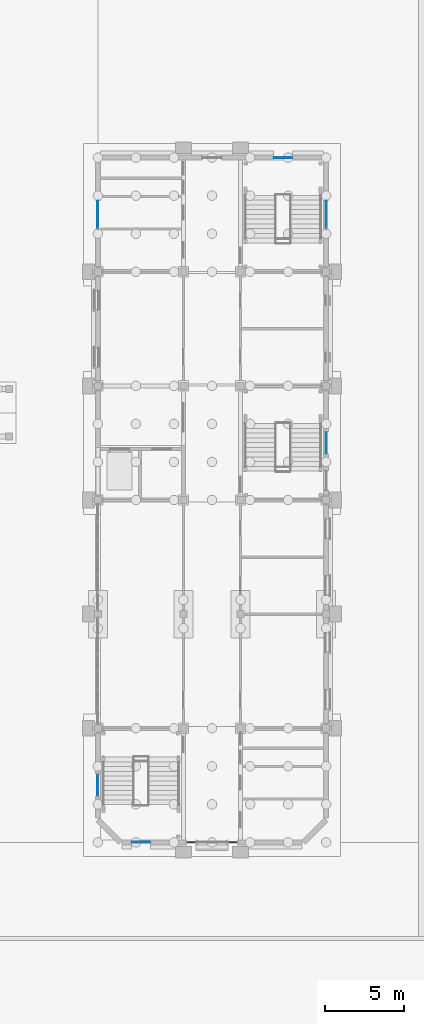
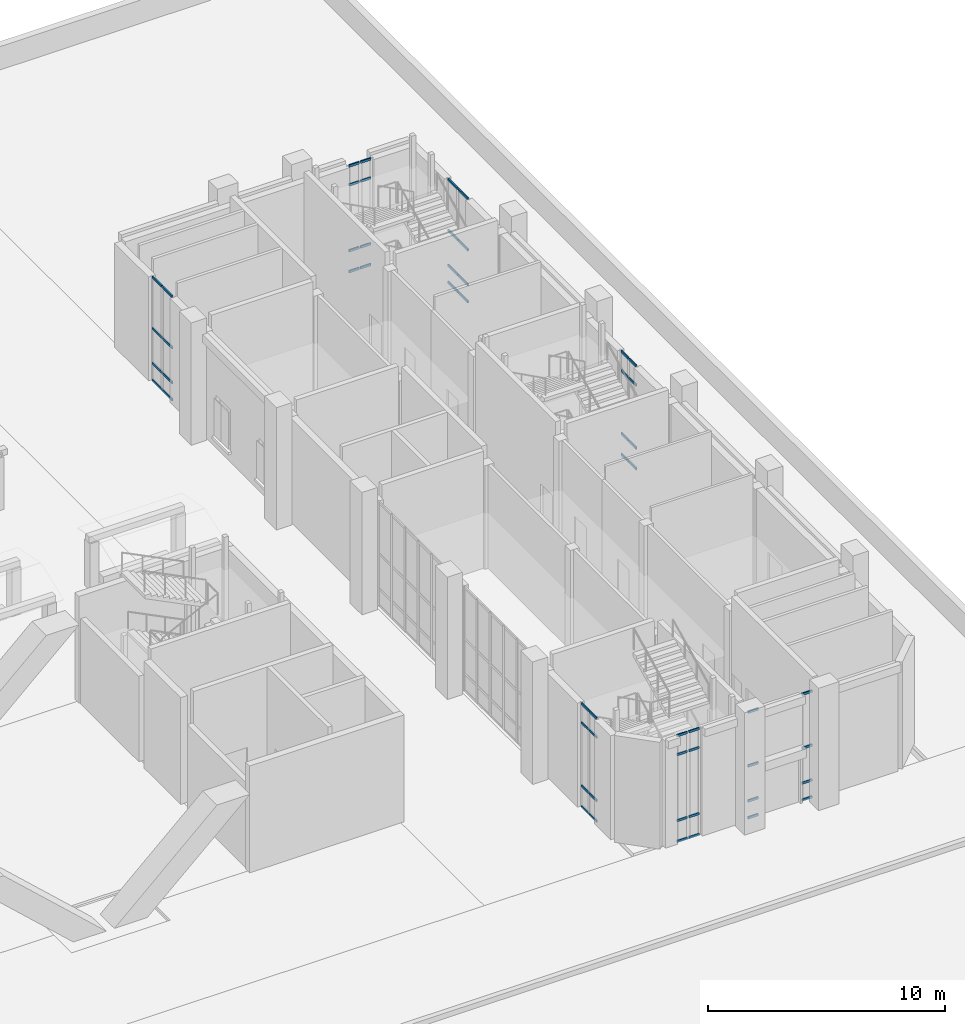
# One storey, part 20 of 84: 56 members, 8 elements without a shape of their own.
"""IFC4 building model written with IfcOpenShell, lengths in metres."""

import ifcopenshell
import ifcopenshell.guid

model = None  # the IFC model being written
_history = None  # IfcOwnerHistory: only IFC2X3 demands one
_inside = {}  # id of a spatial element -> (the spatial element, [elements in it])
_under = {}  # id of a project, library or spatial element -> (it, [spatial elements below it])
_declared = {}  # id of a project -> (the project, [libraries it declares])
_typed = {}  # id of a type object -> (the type object, [elements of that type])
_made_of = {}  # id of a material, layer set ... -> (it, [elements and type objects made of it])


def new_model(schema):
    """Start an empty IFC model of exactly this schema.

    Asked for "IFC4X3", IfcOpenShell would pick the latest addendum, in which some entities
    have other attributes; the version numbers below select the first issue.
    IFC2X3 requires an IfcOwnerHistory on every rooted entity: one is made here for all.
    """
    global model, _history
    if schema == "IFC4X3":
        model = ifcopenshell.file(schema_version=(4, 3, 0, 0))
    else:
        model = ifcopenshell.file(schema=schema)
    _inside.clear()
    _under.clear()
    _declared.clear()
    _typed.clear()
    _made_of.clear()
    _history = None
    if model.schema == "IFC2X3":
        org = make("IfcOrganization", Name="unknown")
        user = make(
            "IfcPersonAndOrganization",
            ThePerson=make("IfcPerson", FamilyName="unknown"),
            TheOrganization=org,
        )
        app = make(
            "IfcApplication",
            ApplicationDeveloper=org,
            Version="unknown",
            ApplicationFullName="unknown",
            ApplicationIdentifier="unknown",
        )
        _history = make(
            "IfcOwnerHistory",
            OwningUser=user,
            OwningApplication=app,
            ChangeAction="ADDED",
            CreationDate=0,
        )
    return model


def make(cls, **values):
    """One entity of the class cls with the attributes given. An attribute that is None is left unset."""
    return model.create_entity(
        cls, **{name: value for name, value in values.items() if value is not None}
    )


def rooted(cls, **values):
    """An entity with a GlobalId (a new one), such as an element, a storey or a relation."""
    return make(cls, GlobalId=ifcopenshell.guid.new(), OwnerHistory=_history, **values)


def si_unit(unit_type, name, prefix=None):
    """IfcSIUnit, for example si_unit("LENGTHUNIT", "METRE", prefix="MILLI")."""
    return make("IfcSIUnit", UnitType=unit_type, Prefix=prefix, Name=name)


def assignment(units):
    """IfcUnitAssignment: the units of a project."""
    return None if units is None else make("IfcUnitAssignment", Units=units)


def point(xyz):
    """IfcCartesianPoint."""
    return None if xyz is None else make("IfcCartesianPoint", Coordinates=xyz)


def direction(xyz):
    """IfcDirection."""
    return None if xyz is None else make("IfcDirection", DirectionRatios=xyz)


def frame(location, z_axis=None, x_axis=None):
    """IfcAxis2Placement3D, a coordinate frame: its origin and axes. An axis left out is left unset."""
    return make(
        "IfcAxis2Placement3D",
        Location=point(location),
        Axis=direction(z_axis),
        RefDirection=direction(x_axis),
    )


def frame_2d(location, x_axis=None):
    """IfcAxis2Placement2D, a coordinate frame in the plane: its origin and x axis."""
    return make(
        "IfcAxis2Placement2D", Location=point(location), RefDirection=direction(x_axis)
    )


def origin():
    """The frame at (0, 0, 0) with its axes left unset."""
    return frame((0.0, 0.0, 0.0))


def origin_2d():
    """The frame at (0, 0) in the plane with its x axis left unset."""
    return frame_2d((0.0, 0.0))


def place(relative_to, where):
    """IfcLocalPlacement: puts the frame where relative to a parent placement (None: the world)."""
    return make(
        "IfcLocalPlacement", PlacementRelTo=relative_to, RelativePlacement=where
    )


def context(
    kind, dimensions, precision=None, world=None, true_north=None, identifier=None
):
    """IfcGeometricRepresentationContext, for example the 3D "Model" context."""
    return make(
        "IfcGeometricRepresentationContext",
        ContextIdentifier=identifier,
        ContextType=kind,
        CoordinateSpaceDimension=dimensions,
        Precision=precision,
        WorldCoordinateSystem=world,
        TrueNorth=true_north,
    )


def subcontext(parent, identifier, kind, view, scale=None):
    """IfcGeometricRepresentationSubContext, for example "Body" below "Model"."""
    return make(
        "IfcGeometricRepresentationSubContext",
        ContextIdentifier=identifier,
        ContextType=kind,
        ParentContext=parent,
        TargetScale=scale,
        TargetView=view,
    )


def project(units=None, contexts=None):
    """IfcProject with its units and contexts."""
    return rooted(
        "IfcProject",
        Name="project",
        RepresentationContexts=contexts,
        UnitsInContext=assignment(units),
    )


def spatial(cls, under=None, at=None, **own):
    """A site, building, storey or space (cls), placed at a placement, below another one or the project."""
    s = rooted(cls, ObjectPlacement=at, **own)
    if under is not None:
        _under.setdefault(under.id(), (under, []))[1].append(s)
    return s


def profile(cls, at=None, kind="AREA", **sizes):
    """A parametric profile (cls). Its sizes go by their IFC names, for example OverallWidth=200.0."""
    return make(cls, ProfileType=kind, Position=at, **sizes)


def rectangle(**sizes):
    """IfcRectangleProfileDef."""
    return profile("IfcRectangleProfileDef", **sizes)


def extrude(swept, where, along, depth):
    """IfcExtrudedAreaSolid: the profile swept, set in the frame where, extruded along a direction by depth."""
    return make(
        "IfcExtrudedAreaSolid",
        SweptArea=swept,
        Position=where,
        ExtrudedDirection=direction(along),
        Depth=depth,
    )


def shape(context_of_items, identifier, shape_type, items):
    """IfcShapeRepresentation: the items that make up one representation, for example the "Body"."""
    return make(
        "IfcShapeRepresentation",
        ContextOfItems=context_of_items,
        RepresentationIdentifier=identifier,
        RepresentationType=shape_type,
        Items=items,
    )


def material(Name=None, Category=None):
    """IfcMaterial."""
    return make("IfcMaterial", Name=Name, Category=Category)


def layer(
    of_material, thickness, ventilated=None, Name=None, Category=None, Priority=None
):
    """IfcMaterialLayer: one layer of a wall or slab, of a material (None: an air gap)."""
    return make(
        "IfcMaterialLayer",
        Material=of_material,
        LayerThickness=thickness,
        IsVentilated=ventilated,
        Name=Name,
        Category=Category,
        Priority=Priority,
    )


def layer_set(layers, Name=None):
    """IfcMaterialLayerSet."""
    return make("IfcMaterialLayerSet", MaterialLayers=layers, LayerSetName=Name)


def material_profile(
    of_material, cross_section, Name=None, Category=None, Priority=None
):
    """IfcMaterialProfile: a cross section and its material."""
    return make(
        "IfcMaterialProfile",
        Name=Name,
        Material=of_material,
        Profile=cross_section,
        Priority=Priority,
        Category=Category,
    )


def profile_set(profiles, Name=None, composite=None):
    """IfcMaterialProfileSet."""
    return make(
        "IfcMaterialProfileSet",
        Name=Name,
        MaterialProfiles=profiles,
        CompositeProfile=composite,
    )


def made_of(thing, what):
    """Note that an element or type object is made of a material, layer set ...; save() writes the relation."""
    if what is not None:
        _made_of.setdefault(what.id(), (what, []))[1].append(thing)
    return thing


def type_object(cls, material=None, **own):
    """A type object (cls), such as IfcWallType, which elements share."""
    return made_of(rooted(cls, **own), material)


def element(
    cls,
    number,
    at=None,
    inside=None,
    cuts=None,
    type_object=None,
    material=None,
    context=None,
    identifier="Body",
    shape_type=None,
    held_by="IfcProductDefinitionShape",
    body=None,
    shapes=None,
    **own,
):
    """One element of the class cls, such as IfcWall. Its Tag is "e" and its number.

    at: its placement. inside: the storey or other place that contains it. cuts: it is an
    opening in that element (IfcRelVoidsElement). A single representation is given by context,
    identifier, shape_type and body (its items); several are given by shapes. held_by: the class
    of the entity that holds the representations. save() writes the other relations.
    """
    e = rooted(cls, Tag="e%d" % number, ObjectPlacement=at, **own)
    if body is not None:
        shapes = [shape(context, identifier, shape_type, body)]
    if shapes is not None:
        e.Representation = make(held_by, Representations=shapes)
    if inside is not None:
        _inside.setdefault(inside.id(), (inside, []))[1].append(e)
    if cuts is not None:
        rooted(
            "IfcRelVoidsElement", RelatingBuildingElement=cuts, RelatedOpeningElement=e
        )
    if type_object is not None:
        _typed.setdefault(type_object.id(), (type_object, []))[1].append(e)
    return made_of(e, material)


def aggregate(whole, parts):
    """IfcRelAggregates: a whole, such as a stair, and the parts it consists of."""
    return rooted("IfcRelAggregates", RelatingObject=whole, RelatedObjects=parts)


def save(model, path):
    """Write the relations noted so far, then the file.

    IfcRelAggregates (storeys below a building ...), IfcRelContainedInSpatialStructure (elements
    in a storey), IfcRelDefinesByType, IfcRelAssociatesMaterial and IfcRelDeclares: one each for
    every whole, place, type object, material and project.
    """
    for whole, parts in _under.values():
        aggregate(whole, parts)
    for where, things in _inside.values():
        rooted(
            "IfcRelContainedInSpatialStructure",
            RelatedElements=things,
            RelatingStructure=where,
        )
    for kind, things in _typed.values():
        rooted("IfcRelDefinesByType", RelatedObjects=things, RelatingType=kind)
    for what, things in _made_of.values():
        rooted("IfcRelAssociatesMaterial", RelatedObjects=things, RelatingMaterial=what)
    for by, libraries in _declared.values():
        rooted("IfcRelDeclares", RelatingContext=by, RelatedDefinitions=libraries)
    model.write(path)


model = new_model("IFC4")

# Units and contexts
model_context = context("Model", 3, precision=1e-05, world=origin(), true_north=direction((0.0, 1.0)))
body_context = subcontext(model_context, "Body", "Model", "MODEL_VIEW")
ifc_project = project(units=[si_unit("LENGTHUNIT", "METRE"), si_unit("AREAUNIT", "SQUARE_METRE"), si_unit("VOLUMEUNIT", "CUBIC_METRE"), si_unit("PLANEANGLEUNIT", "RADIAN"), si_unit("MASSUNIT", "GRAM", prefix="KILO")], contexts=[model_context])

# Site, building, storey
site_placement = place(None, origin())
site = spatial("IfcSite", under=ifc_project, at=site_placement, CompositionType="ELEMENT")
building_placement = place(site_placement, origin())
building = spatial("IfcBuilding", under=site, at=building_placement, Name="Mazhai Court Health Centre", CompositionType="ELEMENT")
storey_placement = place(building_placement, origin())
storey = spatial("IfcBuildingStorey", under=building, at=storey_placement, Name="L00", CompositionType="ELEMENT", Elevation=0.0)

# Curtain wall, members
ifc_material_1 = material(Name="Teak timber frame, glazed", Category="wood")
ifc_layer_1 = layer(ifc_material_1, 0.10009765625)
ifc_layer_set_1 = layer_set([ifc_layer_1], Name="CURTAIN WALL TIMBER 600")
curtain_wall_type_1 = type_object("IfcCurtainWallType", Name="CURTAIN WALL TIMBER 600", PredefinedType="NOTDEFINED", material=ifc_layer_set_1)
curtain_wall_1_placement = place(storey_placement, origin())
curtain_wall_1 = element("IfcCurtainWall", 1, at=curtain_wall_1_placement, inside=storey, type_object=curtain_wall_type_1, Name="CW-V6-L00-A0", PredefinedType="NOTDEFINED")
ifc_material_2 = material(Name="Teak timber", Category="wood")
ifc_material_profile = material_profile(ifc_material_2, rectangle(XDim=0.06005859375, YDim=0.1201171875, at=origin_2d()), Name="CW TRANSOM 60x120")
ifc_profile_set = profile_set([ifc_material_profile], Name="Teak timber")
member_type = type_object("IfcMemberType", Name="CW TRANSOM 60x120", PredefinedType="USERDEFINED", material=ifc_profile_set)
member_1_placement = place(storey_placement, frame((135.800048828125, 9.159912109375, 0.030029296875), z_axis=(0.0, 1.0, 0.0), x_axis=(-1.0, 0.0, 0.0)))
member_1 = element("IfcMember", 2, at=member_1_placement, type_object=member_type, Name="CW transom 1.1", ObjectType="TRANSOM", PredefinedType="USERDEFINED", context=body_context, shape_type="SweptSolid", body=[
    extrude(rectangle(XDim=0.06005859375, YDim=0.1201171875, at=origin_2d()), origin(), (0.0, 0.0, 1.0), 0.610107421875),
])
member_2_placement = place(storey_placement, frame((135.800048828125, 9.159912109375, 1.10009765625), z_axis=(0.0, 1.0, 0.0), x_axis=(-1.0, 0.0, 0.0)))
member_2 = element("IfcMember", 3, at=member_2_placement, type_object=member_type, Name="CW transom 1.2", ObjectType="TRANSOM", PredefinedType="USERDEFINED", context=body_context, shape_type="SweptSolid", body=[
    extrude(rectangle(XDim=0.06005859375, YDim=0.1201171875, at=origin_2d()), origin(), (0.0, 0.0, 1.0), 0.610107421875),
])
member_3_placement = place(storey_placement, frame((135.800048828125, 9.159912109375, 4.35009765625), z_axis=(0.0, 1.0, 0.0), x_axis=(-1.0, 0.0, 0.0)))
member_3 = element("IfcMember", 4, at=member_3_placement, type_object=member_type, Name="CW transom 1.3", ObjectType="TRANSOM", PredefinedType="USERDEFINED", context=body_context, shape_type="SweptSolid", body=[
    extrude(rectangle(XDim=0.06005859375, YDim=0.1201171875, at=origin_2d()), origin(), (0.0, 0.0, 1.0), 0.610107421875),
])
member_4_placement = place(storey_placement, frame((135.800048828125, 9.159912109375, 5.320068359375), z_axis=(0.0, 1.0, 0.0), x_axis=(-1.0, 0.0, 0.0)))
member_4 = element("IfcMember", 5, at=member_4_placement, type_object=member_type, Name="CW transom 1.4", ObjectType="TRANSOM", PredefinedType="USERDEFINED", context=body_context, shape_type="SweptSolid", body=[
    extrude(rectangle(XDim=0.06005859375, YDim=0.1201171875, at=origin_2d()), origin(), (0.0, 0.0, 1.0), 0.610107421875),
])
member_5_placement = place(storey_placement, frame((135.800048828125, 9.830078125, 0.030029296875), z_axis=(0.0, 1.0, 0.0), x_axis=(-1.0, 0.0, 0.0)))
member_5 = element("IfcMember", 6, at=member_5_placement, type_object=member_type, Name="CW transom 2.1", ObjectType="TRANSOM", PredefinedType="USERDEFINED", context=body_context, shape_type="SweptSolid", body=[
    extrude(rectangle(XDim=0.06005859375, YDim=0.1201171875, at=origin_2d()), origin(), (0.0, 0.0, 1.0), 0.60986328125),
])
member_6_placement = place(storey_placement, frame((135.800048828125, 9.830078125, 1.10009765625), z_axis=(0.0, 1.0, 0.0), x_axis=(-1.0, 0.0, 0.0)))
member_6 = element("IfcMember", 7, at=member_6_placement, type_object=member_type, Name="CW transom 2.2", ObjectType="TRANSOM", PredefinedType="USERDEFINED", context=body_context, shape_type="SweptSolid", body=[
    extrude(rectangle(XDim=0.06005859375, YDim=0.1201171875, at=origin_2d()), origin(), (0.0, 0.0, 1.0), 0.60986328125),
])
member_7_placement = place(storey_placement, frame((135.800048828125, 9.830078125, 4.35009765625), z_axis=(0.0, 1.0, 0.0), x_axis=(-1.0, 0.0, 0.0)))
member_7 = element("IfcMember", 8, at=member_7_placement, type_object=member_type, Name="CW transom 2.3", ObjectType="TRANSOM", PredefinedType="USERDEFINED", context=body_context, shape_type="SweptSolid", body=[
    extrude(rectangle(XDim=0.06005859375, YDim=0.1201171875, at=origin_2d()), origin(), (0.0, 0.0, 1.0), 0.60986328125),
])
member_8_placement = place(storey_placement, frame((135.800048828125, 9.830078125, 5.320068359375), z_axis=(0.0, 1.0, 0.0), x_axis=(-1.0, 0.0, 0.0)))
member_8 = element("IfcMember", 9, at=member_8_placement, type_object=member_type, Name="CW transom 2.4", ObjectType="TRANSOM", PredefinedType="USERDEFINED", context=body_context, shape_type="SweptSolid", body=[
    extrude(rectangle(XDim=0.06005859375, YDim=0.1201171875, at=origin_2d()), origin(), (0.0, 0.0, 1.0), 0.60986328125),
])
aggregate(curtain_wall_1, [member_1, member_2, member_3, member_4, member_5, member_6, member_7, member_8])

ifc_material_3 = material(Name="Teak timber frame, glazed", Category="wood")
ifc_layer_2 = layer(ifc_material_3, 0.10009765625)
ifc_layer_set_2 = layer_set([ifc_layer_2], Name="CURTAIN WALL TIMBER 900")
curtain_wall_type_2 = type_object("IfcCurtainWallType", Name="CURTAIN WALL TIMBER 900", PredefinedType="NOTDEFINED", material=ifc_layer_set_2)
curtain_wall_2_placement = place(storey_placement, origin())
curtain_wall_2 = element("IfcCurtainWall", 10, at=curtain_wall_2_placement, inside=storey, type_object=curtain_wall_type_2, Name="CW-V6-L00-A5", PredefinedType="NOTDEFINED")
member_9_placement = place(storey_placement, frame((135.800048828125, 44.9599609375, 0.030029296875), z_axis=(0.0, 1.0, 0.0), x_axis=(-1.0, 0.0, 0.0)))
member_9 = element("IfcMember", 11, at=member_9_placement, type_object=member_type, Name="CW transom 1.1", ObjectType="TRANSOM", PredefinedType="USERDEFINED", context=body_context, shape_type="SweptSolid", body=[
    extrude(rectangle(XDim=0.06005859375, YDim=0.1201171875, at=origin_2d()), origin(), (0.0, 0.0, 1.0), 0.81005859375),
])
member_10_placement = place(storey_placement, frame((135.800048828125, 44.9599609375, 0.89990234375), z_axis=(0.0, 1.0, 0.0), x_axis=(-1.0, 0.0, 0.0)))
member_10 = element("IfcMember", 12, at=member_10_placement, type_object=member_type, Name="CW transom 1.2", ObjectType="TRANSOM", PredefinedType="USERDEFINED", context=body_context, shape_type="SweptSolid", body=[
    extrude(rectangle(XDim=0.06005859375, YDim=0.1201171875, at=origin_2d()), origin(), (0.0, 0.0, 1.0), 0.81005859375),
])
member_11_placement = place(storey_placement, frame((135.800048828125, 44.9599609375, 2.699951171875), z_axis=(0.0, 1.0, 0.0), x_axis=(-1.0, 0.0, 0.0)))
member_11 = element("IfcMember", 13, at=member_11_placement, type_object=member_type, Name="CW transom 1.3", ObjectType="TRANSOM", PredefinedType="USERDEFINED", context=body_context, shape_type="SweptSolid", body=[
    extrude(rectangle(XDim=0.06005859375, YDim=0.1201171875, at=origin_2d()), origin(), (0.0, 0.0, 1.0), 0.81005859375),
])
member_12_placement = place(storey_placement, frame((135.800048828125, 44.9599609375, 5.320068359375), z_axis=(0.0, 1.0, 0.0), x_axis=(-1.0, 0.0, 0.0)))
member_12 = element("IfcMember", 14, at=member_12_placement, type_object=member_type, Name="CW transom 1.4", ObjectType="TRANSOM", PredefinedType="USERDEFINED", context=body_context, shape_type="SweptSolid", body=[
    extrude(rectangle(XDim=0.06005859375, YDim=0.1201171875, at=origin_2d()), origin(), (0.0, 0.0, 1.0), 0.81005859375),
])
member_13_placement = place(storey_placement, frame((135.800048828125, 45.830078125, 0.030029296875), z_axis=(0.0, 1.0, 0.0), x_axis=(-1.0, 0.0, 0.0)))
member_13 = element("IfcMember", 15, at=member_13_placement, type_object=member_type, Name="CW transom 2.1", ObjectType="TRANSOM", PredefinedType="USERDEFINED", context=body_context, shape_type="SweptSolid", body=[
    extrude(rectangle(XDim=0.06005859375, YDim=0.1201171875, at=origin_2d()), origin(), (0.0, 0.0, 1.0), 0.809814453125),
])
member_14_placement = place(storey_placement, frame((135.800048828125, 45.830078125, 0.89990234375), z_axis=(0.0, 1.0, 0.0), x_axis=(-1.0, 0.0, 0.0)))
member_14 = element("IfcMember", 16, at=member_14_placement, type_object=member_type, Name="CW transom 2.2", ObjectType="TRANSOM", PredefinedType="USERDEFINED", context=body_context, shape_type="SweptSolid", body=[
    extrude(rectangle(XDim=0.06005859375, YDim=0.1201171875, at=origin_2d()), origin(), (0.0, 0.0, 1.0), 0.809814453125),
])
member_15_placement = place(storey_placement, frame((135.800048828125, 45.830078125, 2.699951171875), z_axis=(0.0, 1.0, 0.0), x_axis=(-1.0, 0.0, 0.0)))
member_15 = element("IfcMember", 17, at=member_15_placement, type_object=member_type, Name="CW transom 2.3", ObjectType="TRANSOM", PredefinedType="USERDEFINED", context=body_context, shape_type="SweptSolid", body=[
    extrude(rectangle(XDim=0.06005859375, YDim=0.1201171875, at=origin_2d()), origin(), (0.0, 0.0, 1.0), 0.809814453125),
])
member_16_placement = place(storey_placement, frame((135.800048828125, 45.830078125, 5.320068359375), z_axis=(0.0, 1.0, 0.0), x_axis=(-1.0, 0.0, 0.0)))
member_16 = element("IfcMember", 18, at=member_16_placement, type_object=member_type, Name="CW transom 2.4", ObjectType="TRANSOM", PredefinedType="USERDEFINED", context=body_context, shape_type="SweptSolid", body=[
    extrude(rectangle(XDim=0.06005859375, YDim=0.1201171875, at=origin_2d()), origin(), (0.0, 0.0, 1.0), 0.809814453125),
])
aggregate(curtain_wall_2, [member_9, member_10, member_11, member_12, member_13, member_14, member_15, member_16])

curtain_wall_3_placement = place(storey_placement, origin())
curtain_wall_3 = element("IfcCurtainWall", 19, at=curtain_wall_3_placement, inside=storey, type_object=curtain_wall_type_1, Name="CW-V6-L00-B3", PredefinedType="NOTDEFINED")
member_17_placement = place(storey_placement, frame((150.199951171875, 32.0400390625, 0.030029296875), z_axis=(0.0, -1.0, 0.0), x_axis=(1.0, 0.0, 0.0)))
member_17 = element("IfcMember", 20, at=member_17_placement, type_object=member_type, Name="CW transom 1.1", ObjectType="TRANSOM", PredefinedType="USERDEFINED", context=body_context, shape_type="SweptSolid", body=[
    extrude(rectangle(XDim=0.06005859375, YDim=0.1201171875, at=origin_2d()), origin(), (0.0, 0.0, 1.0), 0.610107421875),
])
member_18_placement = place(storey_placement, frame((150.199951171875, 32.0400390625, 1.10009765625), z_axis=(0.0, -1.0, 0.0), x_axis=(1.0, 0.0, 0.0)))
member_18 = element("IfcMember", 21, at=member_18_placement, type_object=member_type, Name="CW transom 1.2", ObjectType="TRANSOM", PredefinedType="USERDEFINED", context=body_context, shape_type="SweptSolid", body=[
    extrude(rectangle(XDim=0.06005859375, YDim=0.1201171875, at=origin_2d()), origin(), (0.0, 0.0, 1.0), 0.610107421875),
])
member_19_placement = place(storey_placement, frame((150.199951171875, 32.0400390625, 4.35009765625), z_axis=(0.0, -1.0, 0.0), x_axis=(1.0, 0.0, 0.0)))
member_19 = element("IfcMember", 22, at=member_19_placement, type_object=member_type, Name="CW transom 1.3", ObjectType="TRANSOM", PredefinedType="USERDEFINED", context=body_context, shape_type="SweptSolid", body=[
    extrude(rectangle(XDim=0.06005859375, YDim=0.1201171875, at=origin_2d()), origin(), (0.0, 0.0, 1.0), 0.610107421875),
])
member_20_placement = place(storey_placement, frame((150.199951171875, 32.0400390625, 5.320068359375), z_axis=(0.0, -1.0, 0.0), x_axis=(1.0, 0.0, 0.0)))
member_20 = element("IfcMember", 23, at=member_20_placement, type_object=member_type, Name="CW transom 1.4", ObjectType="TRANSOM", PredefinedType="USERDEFINED", context=body_context, shape_type="SweptSolid", body=[
    extrude(rectangle(XDim=0.06005859375, YDim=0.1201171875, at=origin_2d()), origin(), (0.0, 0.0, 1.0), 0.610107421875),
])
member_21_placement = place(storey_placement, frame((150.199951171875, 31.3701171875, 0.030029296875), z_axis=(0.0, -1.0, 0.0), x_axis=(1.0, 0.0, 0.0)))
member_21 = element("IfcMember", 24, at=member_21_placement, type_object=member_type, Name="CW transom 2.1", ObjectType="TRANSOM", PredefinedType="USERDEFINED", context=body_context, shape_type="SweptSolid", body=[
    extrude(rectangle(XDim=0.06005859375, YDim=0.1201171875, at=origin_2d()), origin(), (0.0, 0.0, 1.0), 0.610107421875),
])
member_22_placement = place(storey_placement, frame((150.199951171875, 31.3701171875, 1.10009765625), z_axis=(0.0, -1.0, 0.0), x_axis=(1.0, 0.0, 0.0)))
member_22 = element("IfcMember", 25, at=member_22_placement, type_object=member_type, Name="CW transom 2.2", ObjectType="TRANSOM", PredefinedType="USERDEFINED", context=body_context, shape_type="SweptSolid", body=[
    extrude(rectangle(XDim=0.06005859375, YDim=0.1201171875, at=origin_2d()), origin(), (0.0, 0.0, 1.0), 0.610107421875),
])
member_23_placement = place(storey_placement, frame((150.199951171875, 31.3701171875, 4.35009765625), z_axis=(0.0, -1.0, 0.0), x_axis=(1.0, 0.0, 0.0)))
member_23 = element("IfcMember", 26, at=member_23_placement, type_object=member_type, Name="CW transom 2.3", ObjectType="TRANSOM", PredefinedType="USERDEFINED", context=body_context, shape_type="SweptSolid", body=[
    extrude(rectangle(XDim=0.06005859375, YDim=0.1201171875, at=origin_2d()), origin(), (0.0, 0.0, 1.0), 0.610107421875),
])
member_24_placement = place(storey_placement, frame((150.199951171875, 31.3701171875, 5.320068359375), z_axis=(0.0, -1.0, 0.0), x_axis=(1.0, 0.0, 0.0)))
member_24 = element("IfcMember", 27, at=member_24_placement, type_object=member_type, Name="CW transom 2.4", ObjectType="TRANSOM", PredefinedType="USERDEFINED", context=body_context, shape_type="SweptSolid", body=[
    extrude(rectangle(XDim=0.06005859375, YDim=0.1201171875, at=origin_2d()), origin(), (0.0, 0.0, 1.0), 0.610107421875),
])
aggregate(curtain_wall_3, [member_17, member_18, member_19, member_20, member_21, member_22, member_23, member_24])

curtain_wall_4_placement = place(storey_placement, origin())
curtain_wall_4 = element("IfcCurtainWall", 28, at=curtain_wall_4_placement, inside=storey, type_object=curtain_wall_type_2, Name="CW-V6-L00-B5", PredefinedType="NOTDEFINED")
member_25_placement = place(storey_placement, frame((150.199951171875, 46.639892578125, 0.030029296875), z_axis=(0.0, -1.0, 0.0), x_axis=(1.0, 0.0, 0.0)))
member_25 = element("IfcMember", 29, at=member_25_placement, type_object=member_type, Name="CW transom 1.1", ObjectType="TRANSOM", PredefinedType="USERDEFINED", context=body_context, shape_type="SweptSolid", body=[
    extrude(rectangle(XDim=0.06005859375, YDim=0.1201171875, at=origin_2d()), origin(), (0.0, 0.0, 1.0), 0.809814453125),
])
member_26_placement = place(storey_placement, frame((150.199951171875, 46.639892578125, 0.89990234375), z_axis=(0.0, -1.0, 0.0), x_axis=(1.0, 0.0, 0.0)))
member_26 = element("IfcMember", 30, at=member_26_placement, type_object=member_type, Name="CW transom 1.2", ObjectType="TRANSOM", PredefinedType="USERDEFINED", context=body_context, shape_type="SweptSolid", body=[
    extrude(rectangle(XDim=0.06005859375, YDim=0.1201171875, at=origin_2d()), origin(), (0.0, 0.0, 1.0), 0.809814453125),
])
member_27_placement = place(storey_placement, frame((150.199951171875, 46.639892578125, 2.699951171875), z_axis=(0.0, -1.0, 0.0), x_axis=(1.0, 0.0, 0.0)))
member_27 = element("IfcMember", 31, at=member_27_placement, type_object=member_type, Name="CW transom 1.3", ObjectType="TRANSOM", PredefinedType="USERDEFINED", context=body_context, shape_type="SweptSolid", body=[
    extrude(rectangle(XDim=0.06005859375, YDim=0.1201171875, at=origin_2d()), origin(), (0.0, 0.0, 1.0), 0.809814453125),
])
member_28_placement = place(storey_placement, frame((150.199951171875, 46.639892578125, 5.320068359375), z_axis=(0.0, -1.0, 0.0), x_axis=(1.0, 0.0, 0.0)))
member_28 = element("IfcMember", 32, at=member_28_placement, type_object=member_type, Name="CW transom 1.4", ObjectType="TRANSOM", PredefinedType="USERDEFINED", context=body_context, shape_type="SweptSolid", body=[
    extrude(rectangle(XDim=0.06005859375, YDim=0.1201171875, at=origin_2d()), origin(), (0.0, 0.0, 1.0), 0.809814453125),
])
member_29_placement = place(storey_placement, frame((150.199951171875, 45.77001953125, 0.030029296875), z_axis=(0.0, -1.0, 0.0), x_axis=(1.0, 0.0, 0.0)))
member_29 = element("IfcMember", 33, at=member_29_placement, type_object=member_type, Name="CW transom 2.1", ObjectType="TRANSOM", PredefinedType="USERDEFINED", context=body_context, shape_type="SweptSolid", body=[
    extrude(rectangle(XDim=0.06005859375, YDim=0.1201171875, at=origin_2d()), origin(), (0.0, 0.0, 1.0), 0.81005859375),
])
member_30_placement = place(storey_placement, frame((150.199951171875, 45.77001953125, 0.89990234375), z_axis=(0.0, -1.0, 0.0), x_axis=(1.0, 0.0, 0.0)))
member_30 = element("IfcMember", 34, at=member_30_placement, type_object=member_type, Name="CW transom 2.2", ObjectType="TRANSOM", PredefinedType="USERDEFINED", context=body_context, shape_type="SweptSolid", body=[
    extrude(rectangle(XDim=0.06005859375, YDim=0.1201171875, at=origin_2d()), origin(), (0.0, 0.0, 1.0), 0.81005859375),
])
member_31_placement = place(storey_placement, frame((150.199951171875, 45.77001953125, 2.699951171875), z_axis=(0.0, -1.0, 0.0), x_axis=(1.0, 0.0, 0.0)))
member_31 = element("IfcMember", 35, at=member_31_placement, type_object=member_type, Name="CW transom 2.3", ObjectType="TRANSOM", PredefinedType="USERDEFINED", context=body_context, shape_type="SweptSolid", body=[
    extrude(rectangle(XDim=0.06005859375, YDim=0.1201171875, at=origin_2d()), origin(), (0.0, 0.0, 1.0), 0.81005859375),
])
member_32_placement = place(storey_placement, frame((150.199951171875, 45.77001953125, 5.320068359375), z_axis=(0.0, -1.0, 0.0), x_axis=(1.0, 0.0, 0.0)))
member_32 = element("IfcMember", 36, at=member_32_placement, type_object=member_type, Name="CW transom 2.4", ObjectType="TRANSOM", PredefinedType="USERDEFINED", context=body_context, shape_type="SweptSolid", body=[
    extrude(rectangle(XDim=0.06005859375, YDim=0.1201171875, at=origin_2d()), origin(), (0.0, 0.0, 1.0), 0.81005859375),
])
aggregate(curtain_wall_4, [member_25, member_26, member_27, member_28, member_29, member_30, member_31, member_32])

curtain_wall_5_placement = place(storey_placement, origin())
curtain_wall_5 = element("IfcCurtainWall", 37, at=curtain_wall_5_placement, inside=storey, type_object=curtain_wall_type_1, Name="CW-V6-L00-SSTAIR0", PredefinedType="NOTDEFINED")
member_33_placement = place(storey_placement, frame((139.06005859375, 6.199951171875, 0.030029296875), z_axis=(-1.0, 0.0, 0.0), x_axis=(0.0, -1.0, 0.0)))
member_33 = element("IfcMember", 38, at=member_33_placement, type_object=member_type, Name="CW transom 1.1", ObjectType="TRANSOM", PredefinedType="USERDEFINED", context=body_context, shape_type="SweptSolid", body=[
    extrude(rectangle(XDim=0.06005859375, YDim=0.1201171875, at=origin_2d()), origin(), (0.0, 0.0, 1.0), 0.510009765625),
])
member_34_placement = place(storey_placement, frame((139.06005859375, 6.199951171875, 1.10009765625), z_axis=(-1.0, 0.0, 0.0), x_axis=(0.0, -1.0, 0.0)))
member_34 = element("IfcMember", 39, at=member_34_placement, type_object=member_type, Name="CW transom 1.2", ObjectType="TRANSOM", PredefinedType="USERDEFINED", context=body_context, shape_type="SweptSolid", body=[
    extrude(rectangle(XDim=0.06005859375, YDim=0.1201171875, at=origin_2d()), origin(), (0.0, 0.0, 1.0), 0.510009765625),
])
member_35_placement = place(storey_placement, frame((139.06005859375, 6.199951171875, 4.5), z_axis=(-1.0, 0.0, 0.0), x_axis=(0.0, -1.0, 0.0)))
member_35 = element("IfcMember", 40, at=member_35_placement, type_object=member_type, Name="CW transom 1.3", ObjectType="TRANSOM", PredefinedType="USERDEFINED", context=body_context, shape_type="SweptSolid", body=[
    extrude(rectangle(XDim=0.06005859375, YDim=0.1201171875, at=origin_2d()), origin(), (0.0, 0.0, 1.0), 0.510009765625),
])
member_36_placement = place(storey_placement, frame((139.06005859375, 6.199951171875, 5.469970703125), z_axis=(-1.0, 0.0, 0.0), x_axis=(0.0, -1.0, 0.0)))
member_36 = element("IfcMember", 41, at=member_36_placement, type_object=member_type, Name="CW transom 1.4", ObjectType="TRANSOM", PredefinedType="USERDEFINED", context=body_context, shape_type="SweptSolid", body=[
    extrude(rectangle(XDim=0.06005859375, YDim=0.1201171875, at=origin_2d()), origin(), (0.0, 0.0, 1.0), 0.510009765625),
])
member_37_placement = place(storey_placement, frame((138.489990234375, 6.199951171875, 0.030029296875), z_axis=(-1.0, 0.0, 0.0), x_axis=(0.0, -1.0, 0.0)))
member_37 = element("IfcMember", 42, at=member_37_placement, type_object=member_type, Name="CW transom 2.1", ObjectType="TRANSOM", PredefinedType="USERDEFINED", context=body_context, shape_type="SweptSolid", body=[
    extrude(rectangle(XDim=0.06005859375, YDim=0.1201171875, at=origin_2d()), origin(), (0.0, 0.0, 1.0), 0.510009765625),
])
member_38_placement = place(storey_placement, frame((138.489990234375, 6.199951171875, 1.10009765625), z_axis=(-1.0, 0.0, 0.0), x_axis=(0.0, -1.0, 0.0)))
member_38 = element("IfcMember", 43, at=member_38_placement, type_object=member_type, Name="CW transom 2.2", ObjectType="TRANSOM", PredefinedType="USERDEFINED", context=body_context, shape_type="SweptSolid", body=[
    extrude(rectangle(XDim=0.06005859375, YDim=0.1201171875, at=origin_2d()), origin(), (0.0, 0.0, 1.0), 0.510009765625),
])
member_39_placement = place(storey_placement, frame((138.489990234375, 6.199951171875, 4.5), z_axis=(-1.0, 0.0, 0.0), x_axis=(0.0, -1.0, 0.0)))
member_39 = element("IfcMember", 44, at=member_39_placement, type_object=member_type, Name="CW transom 2.3", ObjectType="TRANSOM", PredefinedType="USERDEFINED", context=body_context, shape_type="SweptSolid", body=[
    extrude(rectangle(XDim=0.06005859375, YDim=0.1201171875, at=origin_2d()), origin(), (0.0, 0.0, 1.0), 0.510009765625),
])
member_40_placement = place(storey_placement, frame((138.489990234375, 6.199951171875, 5.469970703125), z_axis=(-1.0, 0.0, 0.0), x_axis=(0.0, -1.0, 0.0)))
member_40 = element("IfcMember", 45, at=member_40_placement, type_object=member_type, Name="CW transom 2.4", ObjectType="TRANSOM", PredefinedType="USERDEFINED", context=body_context, shape_type="SweptSolid", body=[
    extrude(rectangle(XDim=0.06005859375, YDim=0.1201171875, at=origin_2d()), origin(), (0.0, 0.0, 1.0), 0.510009765625),
])
aggregate(curtain_wall_5, [member_33, member_34, member_35, member_36, member_37, member_38, member_39, member_40])

ifc_material_4 = material(Name="Teak timber frame, glazed", Category="wood")
ifc_layer_3 = layer(ifc_material_4, 0.10009765625)
ifc_layer_set_3 = layer_set([ifc_layer_3], Name="CURTAIN WALL TIMBER 620")
curtain_wall_type_3 = type_object("IfcCurtainWallType", Name="CURTAIN WALL TIMBER 620", PredefinedType="NOTDEFINED", material=ifc_layer_set_3)
curtain_wall_6_placement = place(storey_placement, origin())
curtain_wall_6 = element("IfcCurtainWall", 46, at=curtain_wall_6_placement, inside=storey, type_object=curtain_wall_type_3, Name="CW-V6-L00-SSL1", PredefinedType="NOTDEFINED")
member_41_placement = place(storey_placement, frame((141.93994140625, 6.199951171875, 0.030029296875), z_axis=(-1.0, 0.0, 0.0), x_axis=(0.0, -1.0, 0.0)))
member_41 = element("IfcMember", 47, at=member_41_placement, type_object=member_type, Name="CW transom 1.1", ObjectType="TRANSOM", PredefinedType="USERDEFINED", context=body_context, shape_type="SweptSolid", body=[
    extrude(rectangle(XDim=0.06005859375, YDim=0.1201171875, at=origin_2d()), origin(), (0.0, 0.0, 1.0), 0.5),
])
member_42_placement = place(storey_placement, frame((141.93994140625, 6.199951171875, 0.89990234375), z_axis=(-1.0, 0.0, 0.0), x_axis=(0.0, -1.0, 0.0)))
member_42 = element("IfcMember", 48, at=member_42_placement, type_object=member_type, Name="CW transom 1.2", ObjectType="TRANSOM", PredefinedType="USERDEFINED", context=body_context, shape_type="SweptSolid", body=[
    extrude(rectangle(XDim=0.06005859375, YDim=0.1201171875, at=origin_2d()), origin(), (0.0, 0.0, 1.0), 0.5),
])
member_43_placement = place(storey_placement, frame((141.93994140625, 6.199951171875, 2.699951171875), z_axis=(-1.0, 0.0, 0.0), x_axis=(0.0, -1.0, 0.0)))
member_43 = element("IfcMember", 49, at=member_43_placement, type_object=member_type, Name="CW transom 1.3", ObjectType="TRANSOM", PredefinedType="USERDEFINED", context=body_context, shape_type="SweptSolid", body=[
    extrude(rectangle(XDim=0.06005859375, YDim=0.1201171875, at=origin_2d()), origin(), (0.0, 0.0, 1.0), 0.5),
])
member_44_placement = place(storey_placement, frame((141.93994140625, 6.199951171875, 5.469970703125), z_axis=(-1.0, 0.0, 0.0), x_axis=(0.0, -1.0, 0.0)))
member_44 = element("IfcMember", 50, at=member_44_placement, type_object=member_type, Name="CW transom 1.4", ObjectType="TRANSOM", PredefinedType="USERDEFINED", context=body_context, shape_type="SweptSolid", body=[
    extrude(rectangle(XDim=0.06005859375, YDim=0.1201171875, at=origin_2d()), origin(), (0.0, 0.0, 1.0), 0.5),
])
aggregate(curtain_wall_6, [member_41, member_42, member_43, member_44])

curtain_wall_7_placement = place(storey_placement, origin())
curtain_wall_7 = element("IfcCurtainWall", 51, at=curtain_wall_7_placement, inside=storey, type_object=curtain_wall_type_3, Name="CW-V6-L00-SSL2", PredefinedType="NOTDEFINED")
member_45_placement = place(storey_placement, frame((144.56005859375, 6.199951171875, 0.030029296875), z_axis=(-1.0, 0.0, 0.0), x_axis=(0.0, -1.0, 0.0)))
member_45 = element("IfcMember", 52, at=member_45_placement, type_object=member_type, Name="CW transom 1.1", ObjectType="TRANSOM", PredefinedType="USERDEFINED", context=body_context, shape_type="SweptSolid", body=[
    extrude(rectangle(XDim=0.06005859375, YDim=0.1201171875, at=origin_2d()), origin(), (0.0, 0.0, 1.0), 0.5),
])
member_46_placement = place(storey_placement, frame((144.56005859375, 6.199951171875, 0.89990234375), z_axis=(-1.0, 0.0, 0.0), x_axis=(0.0, -1.0, 0.0)))
member_46 = element("IfcMember", 53, at=member_46_placement, type_object=member_type, Name="CW transom 1.2", ObjectType="TRANSOM", PredefinedType="USERDEFINED", context=body_context, shape_type="SweptSolid", body=[
    extrude(rectangle(XDim=0.06005859375, YDim=0.1201171875, at=origin_2d()), origin(), (0.0, 0.0, 1.0), 0.5),
])
member_47_placement = place(storey_placement, frame((144.56005859375, 6.199951171875, 2.699951171875), z_axis=(-1.0, 0.0, 0.0), x_axis=(0.0, -1.0, 0.0)))
member_47 = element("IfcMember", 54, at=member_47_placement, type_object=member_type, Name="CW transom 1.3", ObjectType="TRANSOM", PredefinedType="USERDEFINED", context=body_context, shape_type="SweptSolid", body=[
    extrude(rectangle(XDim=0.06005859375, YDim=0.1201171875, at=origin_2d()), origin(), (0.0, 0.0, 1.0), 0.5),
])
member_48_placement = place(storey_placement, frame((144.56005859375, 6.199951171875, 5.469970703125), z_axis=(-1.0, 0.0, 0.0), x_axis=(0.0, -1.0, 0.0)))
member_48 = element("IfcMember", 55, at=member_48_placement, type_object=member_type, Name="CW transom 1.4", ObjectType="TRANSOM", PredefinedType="USERDEFINED", context=body_context, shape_type="SweptSolid", body=[
    extrude(rectangle(XDim=0.06005859375, YDim=0.1201171875, at=origin_2d()), origin(), (0.0, 0.0, 1.0), 0.5),
])
aggregate(curtain_wall_7, [member_45, member_46, member_47, member_48])

curtain_wall_8_placement = place(storey_placement, origin())
curtain_wall_8 = element("IfcCurtainWall", 56, at=curtain_wall_8_placement, inside=storey, type_object=curtain_wall_type_1, Name="CW-V6-L00-ESTAIR0", PredefinedType="NOTDEFINED")
member_49_placement = place(storey_placement, frame((146.93994140625, 49.39990234375, 0.030029296875), z_axis=(1.0, 0.0, 0.0), x_axis=(0.0, 1.0, 0.0)))
member_49 = element("IfcMember", 57, at=member_49_placement, type_object=member_type, Name="CW transom 1.1", ObjectType="TRANSOM", PredefinedType="USERDEFINED", context=body_context, shape_type="SweptSolid", body=[
    extrude(rectangle(XDim=0.06005859375, YDim=0.1201171875, at=origin_2d()), origin(), (0.0, 0.0, 1.0), 0.510009765625),
])
member_50_placement = place(storey_placement, frame((146.93994140625, 49.39990234375, 1.10009765625), z_axis=(1.0, 0.0, 0.0), x_axis=(0.0, 1.0, 0.0)))
member_50 = element("IfcMember", 58, at=member_50_placement, type_object=member_type, Name="CW transom 1.2", ObjectType="TRANSOM", PredefinedType="USERDEFINED", context=body_context, shape_type="SweptSolid", body=[
    extrude(rectangle(XDim=0.06005859375, YDim=0.1201171875, at=origin_2d()), origin(), (0.0, 0.0, 1.0), 0.510009765625),
])
member_51_placement = place(storey_placement, frame((146.93994140625, 49.39990234375, 4.5), z_axis=(1.0, 0.0, 0.0), x_axis=(0.0, 1.0, 0.0)))
member_51 = element("IfcMember", 59, at=member_51_placement, type_object=member_type, Name="CW transom 1.3", ObjectType="TRANSOM", PredefinedType="USERDEFINED", context=body_context, shape_type="SweptSolid", body=[
    extrude(rectangle(XDim=0.06005859375, YDim=0.1201171875, at=origin_2d()), origin(), (0.0, 0.0, 1.0), 0.510009765625),
])
member_52_placement = place(storey_placement, frame((146.93994140625, 49.39990234375, 5.469970703125), z_axis=(1.0, 0.0, 0.0), x_axis=(0.0, 1.0, 0.0)))
member_52 = element("IfcMember", 60, at=member_52_placement, type_object=member_type, Name="CW transom 1.4", ObjectType="TRANSOM", PredefinedType="USERDEFINED", context=body_context, shape_type="SweptSolid", body=[
    extrude(rectangle(XDim=0.06005859375, YDim=0.1201171875, at=origin_2d()), origin(), (0.0, 0.0, 1.0), 0.510009765625),
])
member_53_placement = place(storey_placement, frame((147.510009765625, 49.39990234375, 0.030029296875), z_axis=(1.0, 0.0, 0.0), x_axis=(0.0, 1.0, 0.0)))
member_53 = element("IfcMember", 61, at=member_53_placement, type_object=member_type, Name="CW transom 2.1", ObjectType="TRANSOM", PredefinedType="USERDEFINED", context=body_context, shape_type="SweptSolid", body=[
    extrude(rectangle(XDim=0.06005859375, YDim=0.1201171875, at=origin_2d()), origin(), (0.0, 0.0, 1.0), 0.510009765625),
])
member_54_placement = place(storey_placement, frame((147.510009765625, 49.39990234375, 1.10009765625), z_axis=(1.0, 0.0, 0.0), x_axis=(0.0, 1.0, 0.0)))
member_54 = element("IfcMember", 62, at=member_54_placement, type_object=member_type, Name="CW transom 2.2", ObjectType="TRANSOM", PredefinedType="USERDEFINED", context=body_context, shape_type="SweptSolid", body=[
    extrude(rectangle(XDim=0.06005859375, YDim=0.1201171875, at=origin_2d()), origin(), (0.0, 0.0, 1.0), 0.510009765625),
])
member_55_placement = place(storey_placement, frame((147.510009765625, 49.39990234375, 4.5), z_axis=(1.0, 0.0, 0.0), x_axis=(0.0, 1.0, 0.0)))
member_55 = element("IfcMember", 63, at=member_55_placement, type_object=member_type, Name="CW transom 2.3", ObjectType="TRANSOM", PredefinedType="USERDEFINED", context=body_context, shape_type="SweptSolid", body=[
    extrude(rectangle(XDim=0.06005859375, YDim=0.1201171875, at=origin_2d()), origin(), (0.0, 0.0, 1.0), 0.510009765625),
])
member_56_placement = place(storey_placement, frame((147.510009765625, 49.39990234375, 5.469970703125), z_axis=(1.0, 0.0, 0.0), x_axis=(0.0, 1.0, 0.0)))
member_56 = element("IfcMember", 64, at=member_56_placement, type_object=member_type, Name="CW transom 2.4", ObjectType="TRANSOM", PredefinedType="USERDEFINED", context=body_context, shape_type="SweptSolid", body=[
    extrude(rectangle(XDim=0.06005859375, YDim=0.1201171875, at=origin_2d()), origin(), (0.0, 0.0, 1.0), 0.510009765625),
])
aggregate(curtain_wall_8, [member_49, member_50, member_51, member_52, member_53, member_54, member_55, member_56])

save(model, "model.ifc")
